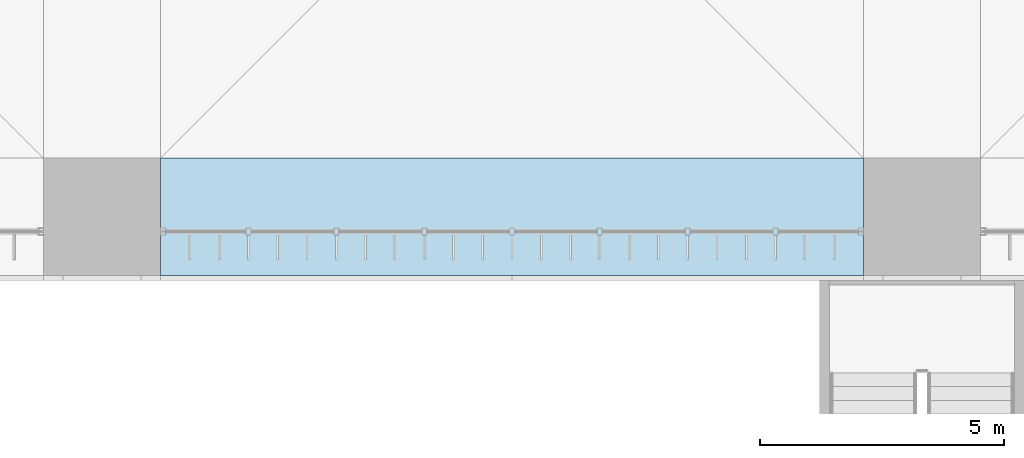
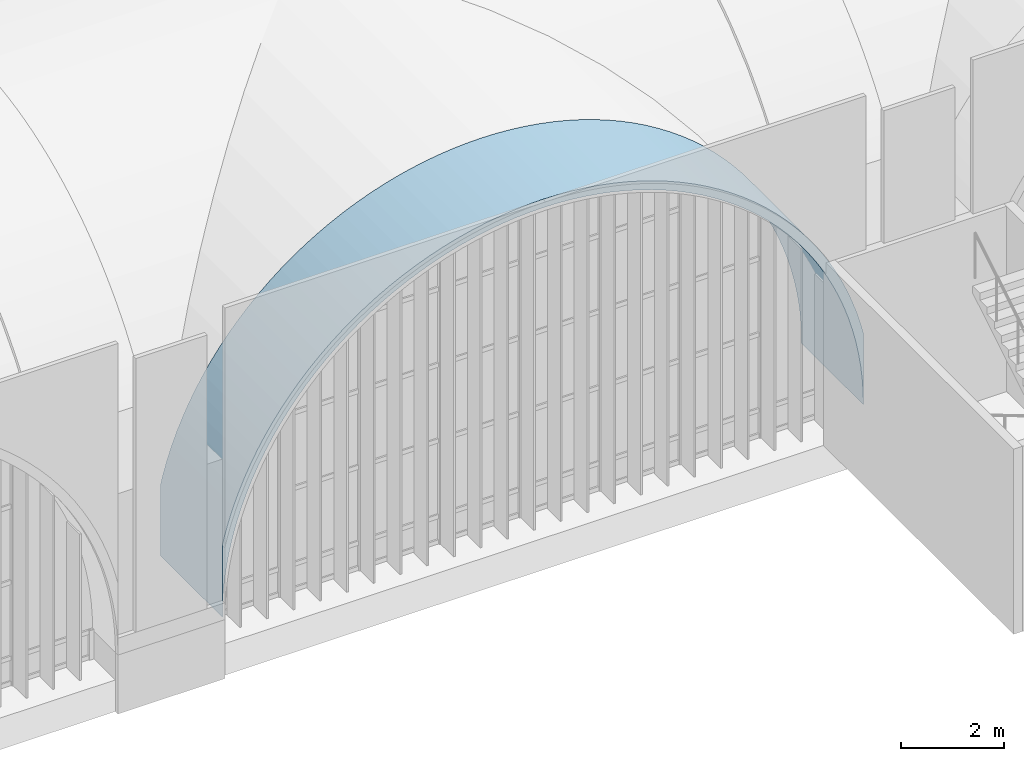
# One storey, part 128 of 169: 1 roof.
"""IFC4 building model written with IfcOpenShell, lengths in metres."""

from ifc_helpers import new_model, si_unit, direction, frame, origin, place, context, subcontext, project, spatial, polygons, material, layer, layer_set, type_object, element, save


model = new_model("IFC4")

# Units and contexts
model_context = context("Model", 3, precision=1e-05, world=origin(), true_north=direction((0.0, 1.0)))
body_context = subcontext(model_context, "Body", "Model", "MODEL_VIEW")
ifc_project = project(units=[si_unit("LENGTHUNIT", "METRE"), si_unit("AREAUNIT", "SQUARE_METRE"), si_unit("VOLUMEUNIT", "CUBIC_METRE"), si_unit("PLANEANGLEUNIT", "RADIAN"), si_unit("MASSUNIT", "GRAM", prefix="KILO")], contexts=[model_context])

# Site, building, storey
site_placement = place(None, origin())
site = spatial("IfcSite", under=ifc_project, at=site_placement, CompositionType="ELEMENT")
building_placement = place(site_placement, origin())
building = spatial("IfcBuilding", under=site, at=building_placement, Name="Verrick Yard Athletic Hall", CompositionType="ELEMENT")
storey_placement = place(building_placement, frame((0.0, 0.0, 4.39990234375)))
storey = spatial("IfcBuildingStorey", under=building, at=storey_placement, Name="L01", CompositionType="ELEMENT", Elevation=4.39990234375)

# Roof
ifc_material = material(Name="Concrete 35 MPa", Category="concrete")
ifc_layer = layer(ifc_material, 0.199951171875)
ifc_layer_set = layer_set([ifc_layer], Name="Arch rib 200")
roof_type = type_object("IfcRoofType", Name="Arch rib 200", PredefinedType="BARREL_ROOF", material=ifc_layer_set)
roof_placement = place(storey_placement, origin())
element("IfcRoof", 1, at=roof_placement, inside=storey, type_object=roof_type, Name="Vault rib S6", PredefinedType="BARREL_ROOF", context=body_context, shape_type="Tessellation", body=[
    polygons([(125.199951171875, 18.0, 2.352294921875), (125.199951171875, 18.0, 0.650146484375), (125.206787109375, 18.0, 0.964111328125), (125.227294921875, 18.0, 1.277587890625), (125.26171875, 18.0, 1.58984375), (125.309326171875, 18.0, 1.900390625), (125.37060546875, 18.0, 2.20849609375), (125.4453125, 18.0, 2.513671875), (125.533203125, 18.0, 2.815185546875), (125.63427734375, 18.0, 3.112548828125), (125.748046875, 18.0, 3.405517578125), (125.87451171875, 18.0, 3.693115234375), (126.013427734375, 18.0, 3.974609375), (126.16455078125, 18.0, 4.25), (126.32763671875, 18.0, 4.518798828125), (126.502197265625, 18.0, 4.77978515625), (126.68798828125, 18.0, 5.033203125), (126.884521484375, 18.0, 5.278076171875), (127.091552734375, 18.0, 5.514404296875), (127.308837890625, 18.0, 5.7412109375), (127.535888671875, 18.0, 5.95849609375), (127.77197265625, 18.0, 6.16552734375), (128.016845703125, 18.0, 6.3623046875), (128.270263671875, 18.0, 6.548095703125), (128.531494140625, 18.0, 6.722412109375), (128.800048828125, 18.0, 6.885498046875), (129.075439453125, 18.0, 7.03662109375), (129.357177734375, 18.0, 7.175537109375), (129.644775390625, 18.0, 7.302001953125), (129.9375, 18.0, 7.416015625), (130.23486328125, 18.0, 7.516845703125), (130.53662109375, 18.0, 7.604736328125), (130.841552734375, 18.0, 7.679443359375), (131.149658203125, 18.0, 7.74072265625), (131.460205078125, 18.0, 7.78857421875), (131.7724609375, 18.0, 7.82275390625), (132.0859375, 18.0, 7.84326171875), (132.39990234375, 18.0, 7.85009765625), (132.714111328125, 18.0, 7.84326171875), (133.027587890625, 18.0, 7.82275390625), (133.33984375, 18.0, 7.78857421875), (133.650390625, 18.0, 7.74072265625), (133.95849609375, 18.0, 7.679443359375), (134.263427734375, 18.0, 7.604736328125), (134.565185546875, 18.0, 7.516845703125), (134.862548828125, 18.0, 7.416015625), (135.1552734375, 18.0, 7.302001953125), (135.44287109375, 18.0, 7.175537109375), (135.724609375, 18.0, 7.03662109375), (136.0, 18.0, 6.885498046875), (136.2685546875, 18.0, 6.722412109375), (136.52978515625, 18.0, 6.548095703125), (136.783203125, 18.0, 6.3623046875), (137.028076171875, 18.0, 6.16552734375), (137.26416015625, 18.0, 5.95849609375), (137.4912109375, 18.0, 5.7412109375), (137.70849609375, 18.0, 5.514404296875), (137.91552734375, 18.0, 5.278076171875), (138.112060546875, 18.0, 5.033203125), (138.2978515625, 18.0, 4.77978515625), (138.472412109375, 18.0, 4.518798828125), (138.635498046875, 18.0, 4.25), (138.78662109375, 18.0, 3.974609375), (138.92529296875, 18.0, 3.693115234375), (139.052001953125, 18.0, 3.405517578125), (139.165771484375, 18.0, 3.112548828125), (139.266845703125, 18.0, 2.815185546875), (139.354736328125, 18.0, 2.513671875), (139.42919921875, 18.0, 2.20849609375), (139.490478515625, 18.0, 1.900390625), (139.538330078125, 18.0, 1.58984375), (139.572509765625, 18.0, 1.277587890625), (139.593017578125, 18.0, 0.964111328125), (139.60009765625, 18.0, 0.650146484375), (139.60009765625, 18.0, 2.352294921875), (139.5478515625, 18.0, 2.5654296875), (139.45751953125, 18.0, 2.875244140625), (139.353759765625, 18.0, 3.180908203125), (139.23681640625, 18.0, 3.48193359375), (139.106689453125, 18.0, 3.777587890625), (138.9638671875, 18.0, 4.06689453125), (138.80859375, 18.0, 4.35009765625), (138.64111328125, 18.0, 4.6259765625), (138.461669921875, 18.0, 4.89453125), (138.270751953125, 18.0, 5.15478515625), (138.068603515625, 18.0, 5.40673828125), (137.85595703125, 18.0, 5.6494140625), (137.632568359375, 18.0, 5.8828125), (137.3994140625, 18.0, 6.10595703125), (137.156494140625, 18.0, 6.31884765625), (136.90478515625, 18.0, 6.52099609375), (136.64453125, 18.0, 6.7119140625), (136.3759765625, 18.0, 6.89111328125), (136.10009765625, 18.0, 7.05859375), (135.81689453125, 18.0, 7.214111328125), (135.52734375, 18.0, 7.356689453125), (135.23193359375, 18.0, 7.48681640625), (134.930908203125, 18.0, 7.603759765625), (134.625244140625, 18.0, 7.70751953125), (134.315185546875, 18.0, 7.798095703125), (134.001708984375, 18.0, 7.874755859375), (133.68505859375, 18.0, 7.937744140625), (133.365966796875, 18.0, 7.98681640625), (133.044921875, 18.0, 8.02197265625), (132.722900390625, 18.0, 8.043212890625), (132.39990234375, 18.0, 8.050048828125), (132.0771484375, 18.0, 8.043212890625), (131.7548828125, 18.0, 8.02197265625), (131.43408203125, 18.0, 7.98681640625), (131.114990234375, 18.0, 7.937744140625), (130.79833984375, 18.0, 7.874755859375), (130.484619140625, 18.0, 7.798095703125), (130.1748046875, 18.0, 7.70751953125), (129.869140625, 18.0, 7.603759765625), (129.568115234375, 18.0, 7.48681640625), (129.272705078125, 18.0, 7.356689453125), (128.983154296875, 18.0, 7.214111328125), (128.699951171875, 18.0, 7.05859375), (128.424072265625, 18.0, 6.89111328125), (128.155517578125, 18.0, 6.7119140625), (127.895263671875, 18.0, 6.52099609375), (127.643310546875, 18.0, 6.31884765625), (127.400634765625, 18.0, 6.10595703125), (127.16748046875, 18.0, 5.8828125), (126.944091796875, 18.0, 5.6494140625), (126.731201171875, 18.0, 5.40673828125), (126.529296875, 18.0, 5.15478515625), (126.33837890625, 18.0, 4.89453125), (126.158935546875, 18.0, 4.6259765625), (125.991455078125, 18.0, 4.35009765625), (125.836181640625, 18.0, 4.06689453125), (125.693359375, 18.0, 3.777587890625), (125.563232421875, 18.0, 3.48193359375), (125.4462890625, 18.0, 3.180908203125), (125.342529296875, 18.0, 2.875244140625), (125.252197265625, 18.0, 2.5654296875), (125.199951171875, 20.39990234375, 2.352294921875), (125.199951171875, 20.39990234375, 0.650146484375), (125.206787109375, 20.39990234375, 0.964111328125), (125.227294921875, 20.39990234375, 1.277587890625), (125.26171875, 20.39990234375, 1.58984375), (125.309326171875, 20.39990234375, 1.900390625), (125.37060546875, 20.39990234375, 2.20849609375), (125.4453125, 20.39990234375, 2.513671875), (125.533203125, 20.39990234375, 2.815185546875), (125.63427734375, 20.39990234375, 3.112548828125), (125.748046875, 20.39990234375, 3.405517578125), (125.87451171875, 20.39990234375, 3.693115234375), (126.013427734375, 20.39990234375, 3.974609375), (126.16455078125, 20.39990234375, 4.25), (126.32763671875, 20.39990234375, 4.518798828125), (126.502197265625, 20.39990234375, 4.77978515625), (126.68798828125, 20.39990234375, 5.033203125), (126.884521484375, 20.39990234375, 5.278076171875), (127.091552734375, 20.39990234375, 5.514404296875), (127.308837890625, 20.39990234375, 5.7412109375), (127.535888671875, 20.39990234375, 5.95849609375), (127.77197265625, 20.39990234375, 6.16552734375), (128.016845703125, 20.39990234375, 6.3623046875), (128.270263671875, 20.39990234375, 6.548095703125), (128.531494140625, 20.39990234375, 6.722412109375), (128.800048828125, 20.39990234375, 6.885498046875), (129.075439453125, 20.39990234375, 7.03662109375), (129.357177734375, 20.39990234375, 7.175537109375), (129.644775390625, 20.39990234375, 7.302001953125), (129.9375, 20.39990234375, 7.416015625), (130.23486328125, 20.39990234375, 7.516845703125), (130.53662109375, 20.39990234375, 7.604736328125), (130.841552734375, 20.39990234375, 7.679443359375), (131.149658203125, 20.39990234375, 7.74072265625), (131.460205078125, 20.39990234375, 7.78857421875), (131.7724609375, 20.39990234375, 7.82275390625), (132.0859375, 20.39990234375, 7.84326171875), (132.39990234375, 20.39990234375, 7.85009765625), (132.714111328125, 20.39990234375, 7.84326171875), (133.027587890625, 20.39990234375, 7.82275390625), (133.33984375, 20.39990234375, 7.78857421875), (133.650390625, 20.39990234375, 7.74072265625), (133.95849609375, 20.39990234375, 7.679443359375), (134.263427734375, 20.39990234375, 7.604736328125), (134.565185546875, 20.39990234375, 7.516845703125), (134.862548828125, 20.39990234375, 7.416015625), (135.1552734375, 20.39990234375, 7.302001953125), (135.44287109375, 20.39990234375, 7.175537109375), (135.724609375, 20.39990234375, 7.03662109375), (136.0, 20.39990234375, 6.885498046875), (136.2685546875, 20.39990234375, 6.722412109375), (136.52978515625, 20.39990234375, 6.548095703125), (136.783203125, 20.39990234375, 6.3623046875), (137.028076171875, 20.39990234375, 6.16552734375), (137.26416015625, 20.39990234375, 5.95849609375), (137.4912109375, 20.39990234375, 5.7412109375), (137.70849609375, 20.39990234375, 5.514404296875), (137.91552734375, 20.39990234375, 5.278076171875), (138.112060546875, 20.39990234375, 5.033203125), (138.2978515625, 20.39990234375, 4.77978515625), (138.472412109375, 20.39990234375, 4.518798828125), (138.635498046875, 20.39990234375, 4.25), (138.78662109375, 20.39990234375, 3.974609375), (138.92529296875, 20.39990234375, 3.693115234375), (139.052001953125, 20.39990234375, 3.405517578125), (139.165771484375, 20.39990234375, 3.112548828125), (139.266845703125, 20.39990234375, 2.815185546875), (139.354736328125, 20.39990234375, 2.513671875), (139.42919921875, 20.39990234375, 2.20849609375), (139.490478515625, 20.39990234375, 1.900390625), (139.538330078125, 20.39990234375, 1.58984375), (139.572509765625, 20.39990234375, 1.277587890625), (139.593017578125, 20.39990234375, 0.964111328125), (139.60009765625, 20.39990234375, 0.650146484375), (139.60009765625, 20.39990234375, 2.352294921875), (139.5478515625, 20.39990234375, 2.5654296875), (139.45751953125, 20.39990234375, 2.875244140625), (139.353759765625, 20.39990234375, 3.180908203125), (139.23681640625, 20.39990234375, 3.48193359375), (139.106689453125, 20.39990234375, 3.777587890625), (138.9638671875, 20.39990234375, 4.06689453125), (138.80859375, 20.39990234375, 4.35009765625), (138.64111328125, 20.39990234375, 4.6259765625), (138.461669921875, 20.39990234375, 4.89453125), (138.270751953125, 20.39990234375, 5.15478515625), (138.068603515625, 20.39990234375, 5.40673828125), (137.85595703125, 20.39990234375, 5.6494140625), (137.632568359375, 20.39990234375, 5.8828125), (137.3994140625, 20.39990234375, 6.10595703125), (137.156494140625, 20.39990234375, 6.31884765625), (136.90478515625, 20.39990234375, 6.52099609375), (136.64453125, 20.39990234375, 6.7119140625), (136.3759765625, 20.39990234375, 6.89111328125), (136.10009765625, 20.39990234375, 7.05859375), (135.81689453125, 20.39990234375, 7.214111328125), (135.52734375, 20.39990234375, 7.356689453125), (135.23193359375, 20.39990234375, 7.48681640625), (134.930908203125, 20.39990234375, 7.603759765625), (134.625244140625, 20.39990234375, 7.70751953125), (134.315185546875, 20.39990234375, 7.798095703125), (134.001708984375, 20.39990234375, 7.874755859375), (133.68505859375, 20.39990234375, 7.937744140625), (133.365966796875, 20.39990234375, 7.98681640625), (133.044921875, 20.39990234375, 8.02197265625), (132.722900390625, 20.39990234375, 8.043212890625), (132.39990234375, 20.39990234375, 8.050048828125), (132.0771484375, 20.39990234375, 8.043212890625), (131.7548828125, 20.39990234375, 8.02197265625), (131.43408203125, 20.39990234375, 7.98681640625), (131.114990234375, 20.39990234375, 7.937744140625), (130.79833984375, 20.39990234375, 7.874755859375), (130.484619140625, 20.39990234375, 7.798095703125), (130.1748046875, 20.39990234375, 7.70751953125), (129.869140625, 20.39990234375, 7.603759765625), (129.568115234375, 20.39990234375, 7.48681640625), (129.272705078125, 20.39990234375, 7.356689453125), (128.983154296875, 20.39990234375, 7.214111328125), (128.699951171875, 20.39990234375, 7.05859375), (128.424072265625, 20.39990234375, 6.89111328125), (128.155517578125, 20.39990234375, 6.7119140625), (127.895263671875, 20.39990234375, 6.52099609375), (127.643310546875, 20.39990234375, 6.31884765625), (127.400634765625, 20.39990234375, 6.10595703125), (127.16748046875, 20.39990234375, 5.8828125), (126.944091796875, 20.39990234375, 5.6494140625), (126.731201171875, 20.39990234375, 5.40673828125), (126.529296875, 20.39990234375, 5.15478515625), (126.33837890625, 20.39990234375, 4.89453125), (126.158935546875, 20.39990234375, 4.6259765625), (125.991455078125, 20.39990234375, 4.35009765625), (125.836181640625, 20.39990234375, 4.06689453125), (125.693359375, 20.39990234375, 3.777587890625), (125.563232421875, 20.39990234375, 3.48193359375), (125.4462890625, 20.39990234375, 3.180908203125), (125.342529296875, 20.39990234375, 2.875244140625), (125.252197265625, 20.39990234375, 2.5654296875)], [[[1, 2, 3]], [[137, 139, 138]], [[136, 1, 3]], [[272, 139, 137]], [[136, 3, 4]], [[272, 140, 139]], [[136, 4, 5]], [[272, 141, 140]], [[136, 5, 6]], [[272, 142, 141]], [[136, 6, 7]], [[272, 143, 142]], [[136, 7, 8]], [[272, 144, 143]], [[136, 8, 9]], [[272, 145, 144]], [[136, 9, 10]], [[272, 146, 145]], [[136, 10, 11]], [[272, 147, 146]], [[136, 11, 12]], [[272, 148, 147]], [[136, 12, 13]], [[272, 149, 148]], [[73, 74, 75]], [[209, 211, 210]], [[72, 73, 75]], [[208, 211, 209]], [[71, 72, 75]], [[207, 211, 208]], [[70, 71, 75]], [[206, 211, 207]], [[69, 70, 75]], [[205, 211, 206]], [[68, 69, 75]], [[204, 211, 205]], [[67, 68, 75]], [[203, 211, 204]], [[66, 67, 75]], [[202, 211, 203]], [[65, 66, 75]], [[201, 211, 202]], [[64, 65, 75]], [[200, 211, 201]], [[63, 64, 75]], [[199, 211, 200]], [[63, 75, 76]], [[199, 212, 211]], [[63, 76, 77]], [[199, 213, 212]], [[62, 63, 77]], [[198, 213, 199]], [[62, 77, 78]], [[198, 214, 213]], [[61, 62, 78]], [[197, 214, 198]], [[61, 78, 79]], [[197, 215, 214]], [[60, 61, 79]], [[196, 215, 197]], [[60, 79, 80]], [[196, 216, 215]], [[59, 60, 80]], [[195, 216, 196]], [[59, 80, 81]], [[195, 217, 216]], [[58, 59, 81]], [[194, 217, 195]], [[58, 81, 82]], [[194, 218, 217]], [[57, 58, 82]], [[193, 218, 194]], [[57, 82, 83]], [[193, 219, 218]], [[56, 57, 83]], [[192, 219, 193]], [[56, 83, 84]], [[192, 220, 219]], [[55, 56, 84]], [[191, 220, 192]], [[55, 84, 85]], [[191, 221, 220]], [[54, 55, 85]], [[190, 221, 191]], [[54, 85, 86]], [[190, 222, 221]], [[53, 54, 86]], [[189, 222, 190]], [[53, 86, 87]], [[189, 223, 222]], [[52, 53, 87]], [[188, 223, 189]], [[52, 87, 88]], [[188, 224, 223]], [[51, 52, 88]], [[187, 224, 188]], [[51, 88, 89]], [[187, 225, 224]], [[50, 51, 89]], [[186, 225, 187]], [[50, 89, 90]], [[186, 226, 225]], [[49, 50, 90]], [[185, 226, 186]], [[49, 90, 91]], [[185, 227, 226]], [[48, 49, 91]], [[184, 227, 185]], [[48, 91, 92]], [[184, 228, 227]], [[47, 48, 92]], [[183, 228, 184]], [[47, 92, 93]], [[183, 229, 228]], [[46, 47, 93]], [[182, 229, 183]], [[46, 93, 94]], [[182, 230, 229]], [[45, 46, 94]], [[181, 230, 182]], [[45, 94, 95]], [[181, 231, 230]], [[44, 45, 95]], [[180, 231, 181]], [[44, 95, 96]], [[180, 232, 231]], [[43, 44, 96]], [[179, 232, 180]], [[43, 96, 97]], [[179, 233, 232]], [[42, 43, 97]], [[178, 233, 179]], [[42, 97, 98]], [[178, 234, 233]], [[41, 42, 98]], [[177, 234, 178]], [[41, 98, 99]], [[177, 235, 234]], [[40, 41, 99]], [[176, 235, 177]], [[40, 99, 100]], [[176, 236, 235]], [[39, 40, 100]], [[175, 236, 176]], [[39, 100, 101]], [[175, 237, 236]], [[38, 39, 101]], [[174, 237, 175]], [[38, 101, 102]], [[174, 238, 237]], [[37, 38, 102]], [[173, 238, 174]], [[37, 102, 103]], [[173, 239, 238]], [[36, 37, 103]], [[172, 239, 173]], [[36, 103, 104]], [[172, 240, 239]], [[35, 36, 104]], [[171, 240, 172]], [[35, 104, 105]], [[171, 241, 240]], [[34, 35, 105]], [[170, 241, 171]], [[34, 105, 106]], [[170, 242, 241]], [[33, 34, 106]], [[169, 242, 170]], [[33, 106, 107]], [[169, 243, 242]], [[32, 33, 107]], [[168, 243, 169]], [[32, 107, 108]], [[168, 244, 243]], [[31, 32, 108]], [[167, 244, 168]], [[31, 108, 109]], [[167, 245, 244]], [[30, 31, 109]], [[166, 245, 167]], [[30, 109, 110]], [[166, 246, 245]], [[29, 30, 110]], [[165, 246, 166]], [[29, 110, 111]], [[165, 247, 246]], [[28, 29, 111]], [[164, 247, 165]], [[28, 111, 112]], [[164, 248, 247]], [[27, 28, 112]], [[163, 248, 164]], [[27, 112, 113]], [[163, 249, 248]], [[26, 27, 113]], [[162, 249, 163]], [[26, 113, 114]], [[162, 250, 249]], [[25, 26, 114]], [[161, 250, 162]], [[25, 114, 115]], [[161, 251, 250]], [[24, 25, 115]], [[160, 251, 161]], [[24, 115, 116]], [[160, 252, 251]], [[23, 24, 116]], [[159, 252, 160]], [[23, 116, 117]], [[159, 253, 252]], [[22, 23, 117]], [[158, 253, 159]], [[22, 117, 118]], [[158, 254, 253]], [[21, 22, 118]], [[157, 254, 158]], [[21, 118, 119]], [[157, 255, 254]], [[20, 21, 119]], [[156, 255, 157]], [[20, 119, 120]], [[156, 256, 255]], [[19, 20, 120]], [[155, 256, 156]], [[19, 120, 121]], [[155, 257, 256]], [[18, 19, 121]], [[154, 257, 155]], [[18, 121, 122]], [[154, 258, 257]], [[17, 18, 122]], [[153, 258, 154]], [[17, 122, 123]], [[153, 259, 258]], [[16, 17, 123]], [[152, 259, 153]], [[16, 123, 124]], [[152, 260, 259]], [[15, 16, 124]], [[151, 260, 152]], [[15, 124, 125]], [[151, 261, 260]], [[14, 15, 125]], [[150, 261, 151]], [[14, 125, 126]], [[150, 262, 261]], [[13, 14, 126]], [[149, 262, 150]], [[136, 13, 126]], [[272, 262, 149]], [[136, 126, 127]], [[272, 263, 262]], [[136, 127, 128]], [[272, 264, 263]], [[136, 128, 129]], [[272, 265, 264]], [[136, 129, 130]], [[272, 266, 265]], [[136, 130, 131]], [[272, 267, 266]], [[136, 131, 132]], [[272, 268, 267]], [[136, 132, 133]], [[272, 269, 268]], [[136, 133, 134]], [[272, 270, 269]], [[134, 135, 136]], [[270, 272, 271]], [[1, 138, 2]], [[1, 137, 138]], [[2, 139, 3]], [[2, 138, 139]], [[3, 140, 4]], [[3, 139, 140]], [[4, 141, 5]], [[4, 140, 141]], [[5, 142, 6]], [[5, 141, 142]], [[6, 143, 7]], [[6, 142, 143]], [[7, 144, 8]], [[7, 143, 144]], [[8, 145, 9]], [[8, 144, 145]], [[9, 146, 10]], [[9, 145, 146]], [[10, 147, 11]], [[10, 146, 147]], [[11, 148, 12]], [[11, 147, 148]], [[12, 149, 13]], [[12, 148, 149]], [[13, 150, 14]], [[13, 149, 150]], [[14, 151, 15]], [[14, 150, 151]], [[15, 152, 16]], [[15, 151, 152]], [[16, 153, 17]], [[16, 152, 153]], [[17, 154, 18]], [[17, 153, 154]], [[18, 155, 19]], [[18, 154, 155]], [[19, 156, 20]], [[19, 155, 156]], [[20, 157, 21]], [[20, 156, 157]], [[21, 158, 22]], [[21, 157, 158]], [[22, 159, 23]], [[22, 158, 159]], [[23, 160, 24]], [[23, 159, 160]], [[24, 161, 25]], [[24, 160, 161]], [[25, 162, 26]], [[25, 161, 162]], [[26, 163, 27]], [[26, 162, 163]], [[27, 164, 28]], [[27, 163, 164]], [[28, 165, 29]], [[28, 164, 165]], [[29, 166, 30]], [[29, 165, 166]], [[30, 167, 31]], [[30, 166, 167]], [[31, 168, 32]], [[31, 167, 168]], [[32, 169, 33]], [[32, 168, 169]], [[33, 170, 34]], [[33, 169, 170]], [[34, 171, 35]], [[34, 170, 171]], [[35, 172, 36]], [[35, 171, 172]], [[36, 173, 37]], [[36, 172, 173]], [[37, 174, 38]], [[37, 173, 174]], [[38, 175, 39]], [[38, 174, 175]], [[39, 176, 40]], [[39, 175, 176]], [[40, 177, 41]], [[40, 176, 177]], [[41, 178, 42]], [[41, 177, 178]], [[42, 179, 43]], [[42, 178, 179]], [[43, 180, 44]], [[43, 179, 180]], [[44, 181, 45]], [[44, 180, 181]], [[45, 182, 46]], [[45, 181, 182]], [[46, 183, 47]], [[46, 182, 183]], [[47, 184, 48]], [[47, 183, 184]], [[48, 185, 49]], [[48, 184, 185]], [[49, 186, 50]], [[49, 185, 186]], [[50, 187, 51]], [[50, 186, 187]], [[51, 188, 52]], [[51, 187, 188]], [[52, 189, 53]], [[52, 188, 189]], [[53, 190, 54]], [[53, 189, 190]], [[54, 191, 55]], [[54, 190, 191]], [[55, 192, 56]], [[55, 191, 192]], [[56, 193, 57]], [[56, 192, 193]], [[57, 194, 58]], [[57, 193, 194]], [[58, 195, 59]], [[58, 194, 195]], [[59, 196, 60]], [[59, 195, 196]], [[60, 197, 61]], [[60, 196, 197]], [[61, 198, 62]], [[61, 197, 198]], [[62, 199, 63]], [[62, 198, 199]], [[63, 200, 64]], [[63, 199, 200]], [[64, 201, 65]], [[64, 200, 201]], [[65, 202, 66]], [[65, 201, 202]], [[66, 203, 67]], [[66, 202, 203]], [[67, 204, 68]], [[67, 203, 204]], [[68, 205, 69]], [[68, 204, 205]], [[69, 206, 70]], [[69, 205, 206]], [[70, 207, 71]], [[70, 206, 207]], [[71, 208, 72]], [[71, 207, 208]], [[72, 209, 73]], [[72, 208, 209]], [[73, 210, 74]], [[73, 209, 210]], [[74, 211, 75]], [[74, 210, 211]], [[75, 212, 76]], [[75, 211, 212]], [[76, 213, 77]], [[76, 212, 213]], [[77, 214, 78]], [[77, 213, 214]], [[78, 215, 79]], [[78, 214, 215]], [[79, 216, 80]], [[79, 215, 216]], [[80, 217, 81]], [[80, 216, 217]], [[81, 218, 82]], [[81, 217, 218]], [[82, 219, 83]], [[82, 218, 219]], [[83, 220, 84]], [[83, 219, 220]], [[84, 221, 85]], [[84, 220, 221]], [[85, 222, 86]], [[85, 221, 222]], [[86, 223, 87]], [[86, 222, 223]], [[87, 224, 88]], [[87, 223, 224]], [[88, 225, 89]], [[88, 224, 225]], [[89, 226, 90]], [[89, 225, 226]], [[90, 227, 91]], [[90, 226, 227]], [[91, 228, 92]], [[91, 227, 228]], [[92, 229, 93]], [[92, 228, 229]], [[93, 230, 94]], [[93, 229, 230]], [[94, 231, 95]], [[94, 230, 231]], [[95, 232, 96]], [[95, 231, 232]], [[96, 233, 97]], [[96, 232, 233]], [[97, 234, 98]], [[97, 233, 234]], [[98, 235, 99]], [[98, 234, 235]], [[99, 236, 100]], [[99, 235, 236]], [[100, 237, 101]], [[100, 236, 237]], [[101, 238, 102]], [[101, 237, 238]], [[102, 239, 103]], [[102, 238, 239]], [[103, 240, 104]], [[103, 239, 240]], [[104, 241, 105]], [[104, 240, 241]], [[105, 242, 106]], [[105, 241, 242]], [[106, 243, 107]], [[106, 242, 243]], [[107, 244, 108]], [[107, 243, 244]], [[108, 245, 109]], [[108, 244, 245]], [[109, 246, 110]], [[109, 245, 246]], [[110, 247, 111]], [[110, 246, 247]], [[111, 248, 112]], [[111, 247, 248]], [[112, 249, 113]], [[112, 248, 249]], [[113, 250, 114]], [[113, 249, 250]], [[114, 251, 115]], [[114, 250, 251]], [[115, 252, 116]], [[115, 251, 252]], [[116, 253, 117]], [[116, 252, 253]], [[117, 254, 118]], [[117, 253, 254]], [[118, 255, 119]], [[118, 254, 255]], [[119, 256, 120]], [[119, 255, 256]], [[120, 257, 121]], [[120, 256, 257]], [[121, 258, 122]], [[121, 257, 258]], [[122, 259, 123]], [[122, 258, 259]], [[123, 260, 124]], [[123, 259, 260]], [[124, 261, 125]], [[124, 260, 261]], [[125, 262, 126]], [[125, 261, 262]], [[126, 263, 127]], [[126, 262, 263]], [[127, 264, 128]], [[127, 263, 264]], [[128, 265, 129]], [[128, 264, 265]], [[129, 266, 130]], [[129, 265, 266]], [[130, 267, 131]], [[130, 266, 267]], [[131, 268, 132]], [[131, 267, 268]], [[132, 269, 133]], [[132, 268, 269]], [[133, 270, 134]], [[133, 269, 270]], [[134, 271, 135]], [[134, 270, 271]], [[135, 272, 136]], [[135, 271, 272]], [[136, 137, 1]], [[136, 272, 137]]], closed=True),
])

save(model, "model.ifc")
